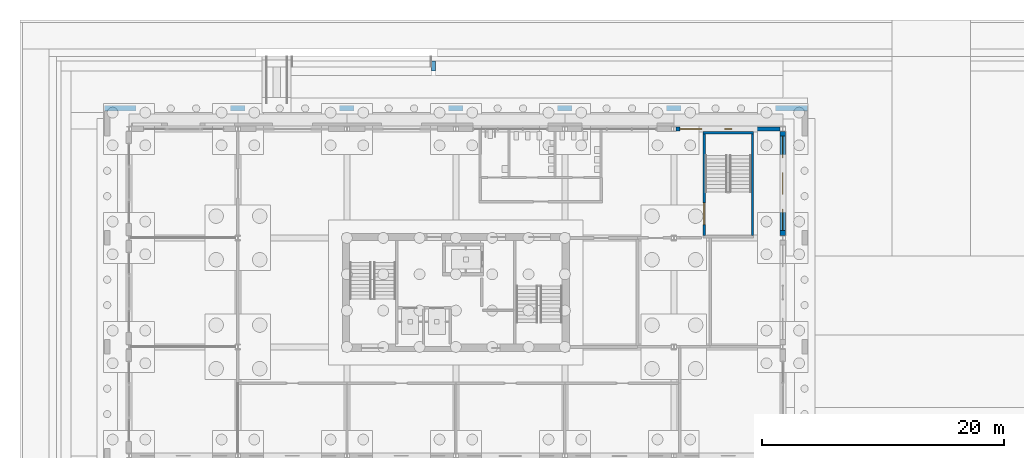
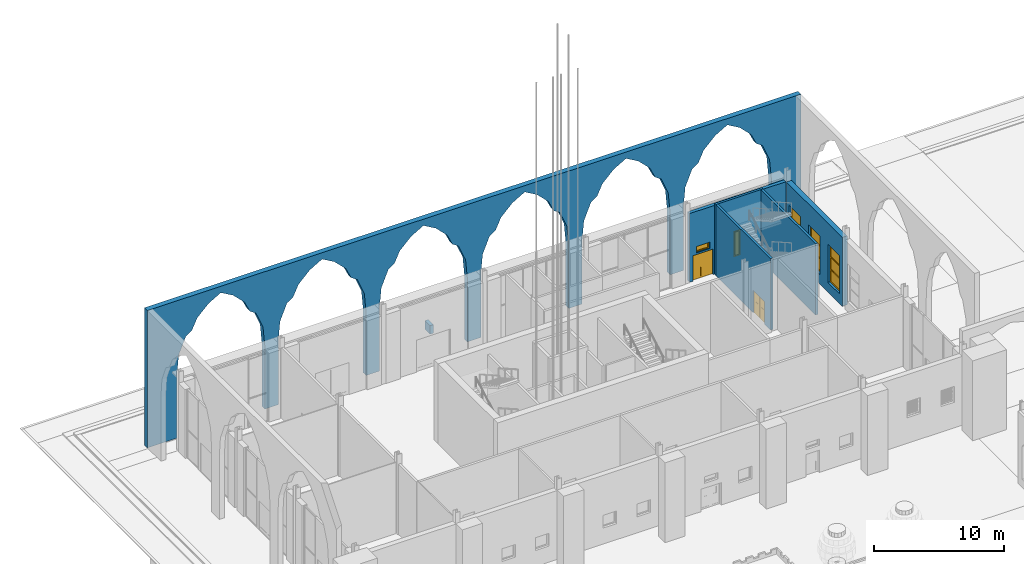
# One storey, part 137 of 250: 7 walls, 5 windows, 2 doors, 7 openings.
"""IFC4 building model written with IfcOpenShell, lengths in metres."""

from ifc_helpers import new_model, si_unit, direction, frame, frame_2d, origin, place, context, subcontext, project, spatial, polyline, rectangle, outline, extrude, material, layer, layer_set, type_object, element, fill, save


model = new_model("IFC4")

# Units and contexts
model_context = context("Model", 3, precision=1e-05, world=origin(), true_north=direction((0.0, 1.0)))
body_context = subcontext(model_context, "Body", "Model", "MODEL_VIEW")
ifc_project = project(units=[si_unit("LENGTHUNIT", "METRE"), si_unit("AREAUNIT", "SQUARE_METRE"), si_unit("VOLUMEUNIT", "CUBIC_METRE"), si_unit("PLANEANGLEUNIT", "RADIAN"), si_unit("MASSUNIT", "GRAM", prefix="KILO")], contexts=[model_context])

# Site, building, storey
site_placement = place(None, origin())
site = spatial("IfcSite", under=ifc_project, at=site_placement, CompositionType="ELEMENT")
building_placement = place(site_placement, origin())
building = spatial("IfcBuilding", under=site, at=building_placement, Name="Baradari Gate Terminus", CompositionType="ELEMENT")
storey_placement = place(building_placement, origin())
storey = spatial("IfcBuildingStorey", under=building, at=storey_placement, Name="L00", CompositionType="ELEMENT", Elevation=0.0)

# Wall, openings, windows
ifc_material_1 = material(Name="Laterite masonry", Category="masonry")
ifc_layer_1 = layer(ifc_material_1, 0.449951171875)
ifc_layer_set_1 = layer_set([ifc_layer_1], Name="Laterite masonry")
wall_type_1 = type_object("IfcWallType", Name="Laterite masonry pier WC-1 450", PredefinedType="SOLIDWALL", material=ifc_layer_set_1)
wall_1_placement = place(storey_placement, frame((63.0, 135.19677734375, 0.0), z_axis=(0.0, 0.0, 1.0), x_axis=(0.0, 1.0, 0.0)))
wall_1 = element("IfcWall", 1, at=wall_1_placement, inside=storey, type_object=wall_type_1, Name="Operations block east wall TE bay 16 L00", PredefinedType="SOLIDWALL", context=body_context, shape_type="SweptSolid", body=[
    extrude(rectangle(XDim=8.6064453125, YDim=0.449951171875, at=frame_2d((4.30322265625, 0.0))), origin(), (0.0, 0.0, 1.0), 6.459716796875),
])
opening_1_placement = place(wall_1_placement, frame((0.4033203125, 0.0, 0.89990234375)))
opening_1 = element("IfcOpeningElement", 2, at=opening_1_placement, cuts=wall_1, Name="Opening W3", PredefinedType="OPENING", context=body_context, shape_type="SweptSolid", body=[
    extrude(rectangle(XDim=1.800048828125, YDim=3.60009765625, at=frame_2d((0.89990234375, 1.800048828125))), frame((0.0, 0.23486328125, 0.0), z_axis=(0.0, -1.0, 0.0), x_axis=(1.0, 0.0, 0.0)), (0.0, 0.0, 1.0), 0.469970703125),
])
opening_2_placement = place(wall_1_placement, frame((3.4033203125, 0.0, 0.89990234375)))
opening_2 = element("IfcOpeningElement", 3, at=opening_2_placement, cuts=wall_1, Name="Opening W3", PredefinedType="OPENING", context=body_context, shape_type="SweptSolid", body=[
    extrude(rectangle(XDim=1.800048828125, YDim=3.60009765625, at=frame_2d((0.89990234375, 1.800048828125))), frame((0.0, 0.23486328125, 0.0), z_axis=(0.0, -1.0, 0.0), x_axis=(1.0, 0.0, 0.0)), (0.0, 0.0, 1.0), 0.469970703125),
])
opening_3_placement = place(wall_1_placement, frame((6.4033203125, 0.0, 0.89990234375)))
opening_3 = element("IfcOpeningElement", 4, at=opening_3_placement, cuts=wall_1, Name="Opening W3", PredefinedType="OPENING", context=body_context, shape_type="SweptSolid", body=[
    extrude(rectangle(XDim=1.800048828125, YDim=3.60009765625, at=frame_2d((0.89990234375, 1.800048828125))), frame((0.0, 0.23486328125, 0.0), z_axis=(0.0, -1.0, 0.0), x_axis=(1.0, 0.0, 0.0)), (0.0, 0.0, 1.0), 0.469970703125),
])
ifc_material_2 = material(Name="Aluminium 6063-T6", Category="aluminium")
window_type_1 = type_object("IfcWindowType", Name="Tall window, 3-light W3 1800x3600", PartitioningType="TRIPLE_PANEL_HORIZONTAL", PredefinedType="WINDOW", material=ifc_material_2)
window_1_placement = place(opening_1_placement, origin())
window_1 = element("IfcWindow", 5, at=window_1_placement, inside=storey, type_object=window_type_1, Name="Window W3 TE/15", OverallHeight=3.6, OverallWidth=1.8, PartitioningType="TRIPLE_PANEL_HORIZONTAL", PredefinedType="WINDOW", context=body_context, shape_type="SweptSolid", body=[
    extrude(outline(polyline([(0.0, 0.0), (1.800048828125, 0.0), (1.800048828125, 3.60009765625), (0.0, 3.60009765625), (0.0, 0.0)]), holes=[polyline([(0.070068359375, 0.070068359375), (1.72998046875, 0.070068359375), (1.72998046875, 3.530029296875), (0.070068359375, 3.530029296875), (0.070068359375, 0.070068359375)])]), frame((0.0, 0.030029296875, 0.0), z_axis=(0.0, -1.0, 0.0), x_axis=(1.0, 0.0, 0.0)), (0.0, 0.0, 1.0), 0.06005859375),
    extrude(rectangle(XDim=1.659912109375, YDim=0.0400390625, at=frame_2d((0.89990234375, 1.216796875))), frame((0.0, 0.021484375, 0.0), z_axis=(0.0, -1.0, 0.0), x_axis=(1.0, 0.0, 0.0)), (0.0, 0.0, 1.0), 0.04296875),
    extrude(rectangle(XDim=1.659912109375, YDim=0.0400390625, at=frame_2d((0.89990234375, 2.38330078125))), frame((0.0, 0.021484375, 0.0), z_axis=(0.0, -1.0, 0.0), x_axis=(1.0, 0.0, 0.0)), (0.0, 0.0, 1.0), 0.04296875),
    extrude(outline(polyline([(0.070068359375, 0.070068359375), (1.72998046875, 0.070068359375), (1.72998046875, 1.19677734375), (0.070068359375, 1.19677734375), (0.070068359375, 0.070068359375)]), holes=[polyline([(0.10009765625, 0.10009765625), (1.699951171875, 0.10009765625), (1.699951171875, 1.166748046875), (0.10009765625, 1.166748046875), (0.10009765625, 0.10009765625)])]), frame((0.0, 0.0224609375, 0.0), z_axis=(0.0, -1.0, 0.0), x_axis=(1.0, 0.0, 0.0)), (0.0, 0.0, 1.0), 0.044921875),
    extrude(rectangle(XDim=1.599853515625, YDim=1.066650390625, at=frame_2d((0.89990234375, 0.63330078125))), frame((0.0, 0.006103515625, 0.0), z_axis=(0.0, -1.0, 0.0), x_axis=(1.0, 0.0, 0.0)), (0.0, 0.0, 1.0), 0.01220703125),
    extrude(outline(polyline([(0.070068359375, 1.23681640625), (1.72998046875, 1.23681640625), (1.72998046875, 2.36328125), (0.070068359375, 2.36328125), (0.070068359375, 1.23681640625)]), holes=[polyline([(0.10009765625, 1.266845703125), (1.699951171875, 1.266845703125), (1.699951171875, 2.333251953125), (0.10009765625, 2.333251953125), (0.10009765625, 1.266845703125)])]), frame((0.0, 0.0224609375, 0.0), z_axis=(0.0, -1.0, 0.0), x_axis=(1.0, 0.0, 0.0)), (0.0, 0.0, 1.0), 0.044921875),
    extrude(rectangle(XDim=1.599853515625, YDim=1.06640625, at=frame_2d((0.89990234375, 1.800048828125))), frame((0.0, 0.006103515625, 0.0), z_axis=(0.0, -1.0, 0.0), x_axis=(1.0, 0.0, 0.0)), (0.0, 0.0, 1.0), 0.01220703125),
    extrude(outline(polyline([(0.070068359375, 2.4033203125), (1.72998046875, 2.4033203125), (1.72998046875, 3.530029296875), (0.070068359375, 3.530029296875), (0.070068359375, 2.4033203125)]), holes=[polyline([(0.10009765625, 2.433349609375), (1.699951171875, 2.433349609375), (1.699951171875, 3.5), (0.10009765625, 3.5), (0.10009765625, 2.433349609375)])]), frame((0.0, 0.0224609375, 0.0), z_axis=(0.0, -1.0, 0.0), x_axis=(1.0, 0.0, 0.0)), (0.0, 0.0, 1.0), 0.044921875),
    extrude(rectangle(XDim=1.599853515625, YDim=1.066650390625, at=frame_2d((0.89990234375, 2.966796875))), frame((0.0, 0.006103515625, 0.0), z_axis=(0.0, -1.0, 0.0), x_axis=(1.0, 0.0, 0.0)), (0.0, 0.0, 1.0), 0.01220703125),
])
fill(opening_1, window_1)
window_2_placement = place(opening_2_placement, origin())
window_2 = element("IfcWindow", 6, at=window_2_placement, inside=storey, type_object=window_type_1, Name="Window W3 TE/15", OverallHeight=3.6, OverallWidth=1.8, PartitioningType="TRIPLE_PANEL_HORIZONTAL", PredefinedType="WINDOW", context=body_context, shape_type="SweptSolid", body=[
    extrude(outline(polyline([(0.0, 0.0), (1.800048828125, 0.0), (1.800048828125, 3.60009765625), (0.0, 3.60009765625), (0.0, 0.0)]), holes=[polyline([(0.070068359375, 0.070068359375), (1.72998046875, 0.070068359375), (1.72998046875, 3.530029296875), (0.070068359375, 3.530029296875), (0.070068359375, 0.070068359375)])]), frame((0.0, 0.030029296875, 0.0), z_axis=(0.0, -1.0, 0.0), x_axis=(1.0, 0.0, 0.0)), (0.0, 0.0, 1.0), 0.06005859375),
    extrude(rectangle(XDim=1.659912109375, YDim=0.0400390625, at=frame_2d((0.89990234375, 1.216796875))), frame((0.0, 0.021484375, 0.0), z_axis=(0.0, -1.0, 0.0), x_axis=(1.0, 0.0, 0.0)), (0.0, 0.0, 1.0), 0.04296875),
    extrude(rectangle(XDim=1.659912109375, YDim=0.0400390625, at=frame_2d((0.89990234375, 2.38330078125))), frame((0.0, 0.021484375, 0.0), z_axis=(0.0, -1.0, 0.0), x_axis=(1.0, 0.0, 0.0)), (0.0, 0.0, 1.0), 0.04296875),
    extrude(outline(polyline([(0.070068359375, 0.070068359375), (1.72998046875, 0.070068359375), (1.72998046875, 1.19677734375), (0.070068359375, 1.19677734375), (0.070068359375, 0.070068359375)]), holes=[polyline([(0.10009765625, 0.10009765625), (1.699951171875, 0.10009765625), (1.699951171875, 1.166748046875), (0.10009765625, 1.166748046875), (0.10009765625, 0.10009765625)])]), frame((0.0, 0.0224609375, 0.0), z_axis=(0.0, -1.0, 0.0), x_axis=(1.0, 0.0, 0.0)), (0.0, 0.0, 1.0), 0.044921875),
    extrude(rectangle(XDim=1.599853515625, YDim=1.066650390625, at=frame_2d((0.89990234375, 0.63330078125))), frame((0.0, 0.006103515625, 0.0), z_axis=(0.0, -1.0, 0.0), x_axis=(1.0, 0.0, 0.0)), (0.0, 0.0, 1.0), 0.01220703125),
    extrude(outline(polyline([(0.070068359375, 1.23681640625), (1.72998046875, 1.23681640625), (1.72998046875, 2.36328125), (0.070068359375, 2.36328125), (0.070068359375, 1.23681640625)]), holes=[polyline([(0.10009765625, 1.266845703125), (1.699951171875, 1.266845703125), (1.699951171875, 2.333251953125), (0.10009765625, 2.333251953125), (0.10009765625, 1.266845703125)])]), frame((0.0, 0.0224609375, 0.0), z_axis=(0.0, -1.0, 0.0), x_axis=(1.0, 0.0, 0.0)), (0.0, 0.0, 1.0), 0.044921875),
    extrude(rectangle(XDim=1.599853515625, YDim=1.06640625, at=frame_2d((0.89990234375, 1.800048828125))), frame((0.0, 0.006103515625, 0.0), z_axis=(0.0, -1.0, 0.0), x_axis=(1.0, 0.0, 0.0)), (0.0, 0.0, 1.0), 0.01220703125),
    extrude(outline(polyline([(0.070068359375, 2.4033203125), (1.72998046875, 2.4033203125), (1.72998046875, 3.530029296875), (0.070068359375, 3.530029296875), (0.070068359375, 2.4033203125)]), holes=[polyline([(0.10009765625, 2.433349609375), (1.699951171875, 2.433349609375), (1.699951171875, 3.5), (0.10009765625, 3.5), (0.10009765625, 2.433349609375)])]), frame((0.0, 0.0224609375, 0.0), z_axis=(0.0, -1.0, 0.0), x_axis=(1.0, 0.0, 0.0)), (0.0, 0.0, 1.0), 0.044921875),
    extrude(rectangle(XDim=1.599853515625, YDim=1.066650390625, at=frame_2d((0.89990234375, 2.966796875))), frame((0.0, 0.006103515625, 0.0), z_axis=(0.0, -1.0, 0.0), x_axis=(1.0, 0.0, 0.0)), (0.0, 0.0, 1.0), 0.01220703125),
])
fill(opening_2, window_2)
window_3_placement = place(opening_3_placement, origin())
window_3 = element("IfcWindow", 7, at=window_3_placement, inside=storey, type_object=window_type_1, Name="Window W3 TE/15", OverallHeight=3.6, OverallWidth=1.8, PartitioningType="TRIPLE_PANEL_HORIZONTAL", PredefinedType="WINDOW", context=body_context, shape_type="SweptSolid", body=[
    extrude(outline(polyline([(0.0, 0.0), (1.800048828125, 0.0), (1.800048828125, 3.60009765625), (0.0, 3.60009765625), (0.0, 0.0)]), holes=[polyline([(0.070068359375, 0.070068359375), (1.72998046875, 0.070068359375), (1.72998046875, 3.530029296875), (0.070068359375, 3.530029296875), (0.070068359375, 0.070068359375)])]), frame((0.0, 0.030029296875, 0.0), z_axis=(0.0, -1.0, 0.0), x_axis=(1.0, 0.0, 0.0)), (0.0, 0.0, 1.0), 0.06005859375),
    extrude(rectangle(XDim=1.659912109375, YDim=0.0400390625, at=frame_2d((0.89990234375, 1.216796875))), frame((0.0, 0.021484375, 0.0), z_axis=(0.0, -1.0, 0.0), x_axis=(1.0, 0.0, 0.0)), (0.0, 0.0, 1.0), 0.04296875),
    extrude(rectangle(XDim=1.659912109375, YDim=0.0400390625, at=frame_2d((0.89990234375, 2.38330078125))), frame((0.0, 0.021484375, 0.0), z_axis=(0.0, -1.0, 0.0), x_axis=(1.0, 0.0, 0.0)), (0.0, 0.0, 1.0), 0.04296875),
    extrude(outline(polyline([(0.070068359375, 0.070068359375), (1.72998046875, 0.070068359375), (1.72998046875, 1.19677734375), (0.070068359375, 1.19677734375), (0.070068359375, 0.070068359375)]), holes=[polyline([(0.10009765625, 0.10009765625), (1.699951171875, 0.10009765625), (1.699951171875, 1.166748046875), (0.10009765625, 1.166748046875), (0.10009765625, 0.10009765625)])]), frame((0.0, 0.0224609375, 0.0), z_axis=(0.0, -1.0, 0.0), x_axis=(1.0, 0.0, 0.0)), (0.0, 0.0, 1.0), 0.044921875),
    extrude(rectangle(XDim=1.599853515625, YDim=1.066650390625, at=frame_2d((0.89990234375, 0.63330078125))), frame((0.0, 0.006103515625, 0.0), z_axis=(0.0, -1.0, 0.0), x_axis=(1.0, 0.0, 0.0)), (0.0, 0.0, 1.0), 0.01220703125),
    extrude(outline(polyline([(0.070068359375, 1.23681640625), (1.72998046875, 1.23681640625), (1.72998046875, 2.36328125), (0.070068359375, 2.36328125), (0.070068359375, 1.23681640625)]), holes=[polyline([(0.10009765625, 1.266845703125), (1.699951171875, 1.266845703125), (1.699951171875, 2.333251953125), (0.10009765625, 2.333251953125), (0.10009765625, 1.266845703125)])]), frame((0.0, 0.0224609375, 0.0), z_axis=(0.0, -1.0, 0.0), x_axis=(1.0, 0.0, 0.0)), (0.0, 0.0, 1.0), 0.044921875),
    extrude(rectangle(XDim=1.599853515625, YDim=1.06640625, at=frame_2d((0.89990234375, 1.800048828125))), frame((0.0, 0.006103515625, 0.0), z_axis=(0.0, -1.0, 0.0), x_axis=(1.0, 0.0, 0.0)), (0.0, 0.0, 1.0), 0.01220703125),
    extrude(outline(polyline([(0.070068359375, 2.4033203125), (1.72998046875, 2.4033203125), (1.72998046875, 3.530029296875), (0.070068359375, 3.530029296875), (0.070068359375, 2.4033203125)]), holes=[polyline([(0.10009765625, 2.433349609375), (1.699951171875, 2.433349609375), (1.699951171875, 3.5), (0.10009765625, 3.5), (0.10009765625, 2.433349609375)])]), frame((0.0, 0.0224609375, 0.0), z_axis=(0.0, -1.0, 0.0), x_axis=(1.0, 0.0, 0.0)), (0.0, 0.0, 1.0), 0.044921875),
    extrude(rectangle(XDim=1.599853515625, YDim=1.066650390625, at=frame_2d((0.89990234375, 2.966796875))), frame((0.0, 0.006103515625, 0.0), z_axis=(0.0, -1.0, 0.0), x_axis=(1.0, 0.0, 0.0)), (0.0, 0.0, 1.0), 0.01220703125),
])
fill(opening_3, window_3)

# Walls
wall_2_placement = place(storey_placement, frame((6.97509765625, 145.699951171875, 0.0), z_axis=(0.0, 0.0, 1.0), x_axis=(1.0, 0.0, 0.0)))
element("IfcWall", 8, at=wall_2_placement, inside=storey, type_object=wall_type_1, Name="Operations block arcade north screen 1", PredefinedType="SOLIDWALL", context=body_context, shape_type="SweptSolid", body=[
    extrude(outline(polyline([(2.625, 0.0), (2.625, 6.0), (2.781005859375, 7.763916015625), (3.405029296875, 9.27587890625), (3.950927734375, 9.654052734375), (4.4189453125, 10.662109375), (5.43310546875, 11.669921875), (6.52490234375, 12.300048828125), (7.616943359375, 11.669921875), (8.631103515625, 10.662109375), (9.09912109375, 9.654052734375), (9.64501953125, 9.27587890625), (10.26904296875, 7.763916015625), (10.425048828125, 6.0), (10.425048828125, 0.0), (11.625, 0.0), (11.625, 6.0), (11.781005859375, 7.763916015625), (12.405029296875, 9.27587890625), (12.950927734375, 9.654052734375), (13.4189453125, 10.662109375), (14.43310546875, 11.669921875), (15.52490234375, 12.300048828125), (16.616943359375, 11.669921875), (17.631103515625, 10.662109375), (18.09912109375, 9.654052734375), (18.64501953125, 9.27587890625), (19.26904296875, 7.763916015625), (19.425048828125, 6.0), (19.425048828125, 0.0), (20.625, 0.0), (20.625, 6.0), (20.781005859375, 7.763916015625), (21.405029296875, 9.27587890625), (21.950927734375, 9.654052734375), (22.4189453125, 10.662109375), (23.43310546875, 11.669921875), (24.52490234375, 12.300048828125), (25.616943359375, 11.669921875), (26.631103515625, 10.662109375), (27.09912109375, 9.654052734375), (27.64501953125, 9.27587890625), (28.26904296875, 7.763916015625), (28.425048828125, 6.0), (28.425048828125, 0.0), (29.625, 0.0), (29.625, 6.0), (29.781005859375, 7.763916015625), (30.405029296875, 9.27587890625), (30.950927734375, 9.654052734375), (31.4189453125, 10.662109375), (32.43310546875, 11.669921875), (33.52490234375, 12.300048828125), (34.616943359375, 11.669921875), (35.631103515625, 10.662109375), (36.09912109375, 9.654052734375), (36.64501953125, 9.27587890625), (37.26904296875, 7.763916015625), (37.425048828125, 6.0), (37.425048828125, 0.0), (38.625, 0.0), (38.625, 6.0), (38.781005859375, 7.763916015625), (39.405029296875, 9.27587890625), (39.950927734375, 9.654052734375), (40.4189453125, 10.662109375), (41.43310546875, 11.669921875), (42.52490234375, 12.300048828125), (43.616943359375, 11.669921875), (44.631103515625, 10.662109375), (45.09912109375, 9.654052734375), (45.64501953125, 9.27587890625), (46.26904296875, 7.763916015625), (46.425048828125, 6.0), (46.425048828125, 0.0), (47.625, 0.0), (47.625, 6.0), (47.781005859375, 7.763916015625), (48.405029296875, 9.27587890625), (48.950927734375, 9.654052734375), (49.4189453125, 10.662109375), (50.43310546875, 11.669921875), (51.52490234375, 12.300048828125), (52.616943359375, 11.669921875), (53.631103515625, 10.662109375), (54.09912109375, 9.654052734375), (54.64501953125, 9.27587890625), (55.26904296875, 7.763916015625), (55.425048828125, 6.0), (55.425048828125, 0.0), (58.050048828125, 0.0), (58.050048828125, 12.89990234375), (0.0, 12.89990234375), (0.0, 0.0), (2.625, 0.0)])), frame((0.0, 0.22509765625, 0.0), z_axis=(0.0, -1.0, 0.0), x_axis=(1.0, 0.0, 0.0)), (0.0, 0.0, 1.0), 0.449951171875),
])
ifc_material_3 = material(Name="Sandstone masonry", Category="masonry")
ifc_layer_2 = layer(ifc_material_3, 0.300048828125)
ifc_layer_set_2 = layer_set([ifc_layer_2], Name="Sandstone masonry")
wall_type_2 = type_object("IfcWallType", Name="Retaining cheek wall KW-2 300", PredefinedType="SOLIDWALL", material=ifc_layer_set_2)
wall_3_placement = place(storey_placement, frame((34.14990234375, 148.800048828125, -0.800048828125), z_axis=(0.0, 0.0, 1.0), x_axis=(0.0, 1.0, 0.0)))
element("IfcWall", 9, at=wall_3_placement, inside=storey, type_object=wall_type_2, Name="Return wall North-west gate b", PredefinedType="SOLIDWALL", context=body_context, shape_type="SweptSolid", body=[
    extrude(rectangle(XDim=0.800048828125, YDim=0.300048828125, at=frame_2d((0.39990234375, 0.0))), origin(), (0.0, 0.0, 1.0), 0.800048828125),
])

# Wall, openings, windows, door
ifc_material_4 = material(Name="Concrete C32/40", Category="concrete")
ifc_layer_3 = layer(ifc_material_4, 0.2)
ifc_material_5 = material(Name="Sandstone cladding", Category="masonry")
ifc_layer_4 = layer(ifc_material_5, 0.1)
ifc_layer_set_3 = layer_set([ifc_layer_3, ifc_layer_4], Name="Concrete C32/40")
wall_type_3 = type_object("IfcWallType", Name="Stair enclosure cladding wall WS-2 300", PredefinedType="SOLIDWALL", material=ifc_layer_set_3)
wall_4_placement = place(storey_placement, frame((54.199462890625, 144.0, 0.0), z_axis=(0.0, 0.0, 1.0), x_axis=(1.0, 0.0, 0.0)))
wall_4 = element("IfcWall", 10, at=wall_4_placement, inside=storey, type_object=wall_type_3, Name="Operations block north TN bay 7 L00", PredefinedType="SOLIDWALL", context=body_context, shape_type="SweptSolid", body=[
    extrude(rectangle(XDim=8.575439453125, YDim=0.300048828125, at=frame_2d((4.28759765625, 0.0))), origin(), (0.0, 0.0, 1.0), 6.459716796875),
])
opening_4_placement = place(wall_4_placement, frame((0.300537109375, 0.0, 0.0)))
opening_4 = element("IfcOpeningElement", 11, at=opening_4_placement, cuts=wall_4, Name="Opening D00-004", PredefinedType="OPENING", context=body_context, shape_type="SweptSolid", body=[
    extrude(rectangle(XDim=1.800048828125, YDim=2.39990234375, at=frame_2d((0.89990234375, 1.199951171875))), frame((0.0, 0.159912109375, 0.0), z_axis=(0.0, -1.0, 0.0), x_axis=(1.0, 0.0, 0.0)), (0.0, 0.0, 1.0), 0.320068359375),
])
opening_5_placement = place(wall_4_placement, frame((0.6005859375, 0.0, 2.550048828125)))
opening_5 = element("IfcOpeningElement", 12, at=opening_5_placement, cuts=wall_4, Name="Opening W10", PredefinedType="OPENING", context=body_context, shape_type="SweptSolid", body=[
    extrude(rectangle(XDim=1.199951171875, YDim=0.60009765625, at=frame_2d((0.60009765625, 0.300048828125))), frame((0.0, 0.159912109375, 0.0), z_axis=(0.0, -1.0, 0.0), x_axis=(1.0, 0.0, 0.0)), (0.0, 0.0, 1.0), 0.320068359375),
])
opening_6_placement = place(wall_4_placement, frame((4.00048828125, 0.0, 0.89990234375)))
opening_6 = element("IfcOpeningElement", 13, at=opening_6_placement, cuts=wall_4, Name="Opening W9", PredefinedType="OPENING", context=body_context, shape_type="SweptSolid", body=[
    extrude(rectangle(XDim=0.60009765625, YDim=2.39990234375, at=frame_2d((0.300048828125, 1.199951171875))), frame((0.0, 0.159912109375, 0.0), z_axis=(0.0, -1.0, 0.0), x_axis=(1.0, 0.0, 0.0)), (0.0, 0.0, 1.0), 0.320068359375),
])
ifc_material_6 = material(Name="Aluminium 6063-T6", Category="aluminium")
window_type_2 = type_object("IfcWindowType", Name="Door fanlight W10 1200x600", PartitioningType="SINGLE_PANEL", PredefinedType="WINDOW", material=ifc_material_6)
window_4_placement = place(opening_5_placement, origin())
window_4 = element("IfcWindow", 14, at=window_4_placement, inside=storey, type_object=window_type_2, Name="Fanlight over Corridor (Stair Passage)", OverallHeight=0.6, OverallWidth=1.2, PartitioningType="SINGLE_PANEL", PredefinedType="WINDOW", context=body_context, shape_type="SweptSolid", body=[
    extrude(outline(polyline([(0.0, 0.0), (1.199951171875, 0.0), (1.199951171875, 0.60009765625), (0.0, 0.60009765625), (0.0, 0.0)]), holes=[polyline([(0.070068359375, 0.070068359375), (1.1298828125, 0.070068359375), (1.1298828125, 0.530029296875), (0.070068359375, 0.530029296875), (0.070068359375, 0.070068359375)])]), frame((0.0, 0.030029296875, 0.0), z_axis=(0.0, -1.0, 0.0), x_axis=(1.0, 0.0, 0.0)), (0.0, 0.0, 1.0), 0.06005859375),
    extrude(outline(polyline([(0.070068359375, 0.070068359375), (1.1298828125, 0.070068359375), (1.1298828125, 0.530029296875), (0.070068359375, 0.530029296875), (0.070068359375, 0.070068359375)]), holes=[polyline([(0.10009765625, 0.10009765625), (1.099853515625, 0.10009765625), (1.099853515625, 0.5), (0.10009765625, 0.5), (0.10009765625, 0.10009765625)])]), frame((0.0, 0.0224609375, 0.0), z_axis=(0.0, -1.0, 0.0), x_axis=(1.0, 0.0, 0.0)), (0.0, 0.0, 1.0), 0.044921875),
    extrude(rectangle(XDim=0.999755859375, YDim=0.39990234375, at=frame_2d((0.60009765625, 0.300048828125))), frame((0.0, 0.006103515625, 0.0), z_axis=(0.0, -1.0, 0.0), x_axis=(1.0, 0.0, 0.0)), (0.0, 0.0, 1.0), 0.01220703125),
])
fill(opening_5, window_4)
ifc_material_7 = material(Name="Steel S235", Category="steel")
door_type_1 = type_object("IfcDoorType", Name="Stair exit door pair, steel DT-4 1800x2400", OperationType="DOUBLE_DOOR_SINGLE_SWING", PredefinedType="DOOR", material=ifc_material_7)
door_1_placement = place(opening_4_placement, origin())
door_1 = element("IfcDoor", 15, at=door_1_placement, inside=storey, type_object=door_type_1, Name="Exit door Corridor (Stair Passage)", OperationType="DOUBLE_DOOR_SINGLE_SWING", OverallHeight=2.4, OverallWidth=1.8, PredefinedType="DOOR", context=body_context, shape_type="SweptSolid", body=[
    extrude(outline(polyline([(0.0, 0.0), (0.070068359375, 0.0), (0.070068359375, 2.329833984375), (1.72998046875, 2.329833984375), (1.72998046875, 0.0), (1.800048828125, 0.0), (1.800048828125, 2.39990234375), (0.0, 2.39990234375), (0.0, 0.0)])), frame((0.0, 0.02490234375, 0.0), z_axis=(0.0, -1.0, 0.0), x_axis=(1.0, 0.0, 0.0)), (0.0, 0.0, 1.0), 0.050048828125),
    extrude(outline(polyline([(0.073974609375, 0.010009765625), (0.89697265625, 0.010009765625), (0.89697265625, 2.325927734375), (0.073974609375, 2.325927734375), (0.073974609375, 0.010009765625)]), holes=[polyline([(0.194091796875, 0.159912109375), (0.77685546875, 0.159912109375), (0.77685546875, 1.010009765625), (0.194091796875, 1.010009765625), (0.194091796875, 0.159912109375)]), polyline([(0.33544921875, 1.159912109375), (0.635498046875, 1.159912109375), (0.635498046875, 1.760009765625), (0.33544921875, 1.760009765625), (0.33544921875, 1.159912109375)])]), frame((0.0, 0.017333984375, 0.0), z_axis=(0.0, -1.0, 0.0), x_axis=(1.0, 0.0, 0.0)), (0.0, 0.0, 1.0), 0.034912109375),
    extrude(rectangle(XDim=0.582763671875, YDim=0.85009765625, at=frame_2d((0.4853515625, 0.5849609375))), frame((0.0, 0.008544921875, 0.0), z_axis=(0.0, -1.0, 0.0), x_axis=(1.0, 0.0, 0.0)), (0.0, 0.0, 1.0), 0.017333984375),
    extrude(rectangle(XDim=0.300048828125, YDim=0.60009765625, at=frame_2d((0.4853515625, 1.4599609375))), frame((0.0, 0.005859375, 0.0), z_axis=(0.0, -1.0, 0.0), x_axis=(1.0, 0.0, 0.0)), (0.0, 0.0, 1.0), 0.011962890625),
    extrude(outline(polyline([(0.903076171875, 0.010009765625), (1.72607421875, 0.010009765625), (1.72607421875, 2.325927734375), (0.903076171875, 2.325927734375), (0.903076171875, 0.010009765625)]), holes=[polyline([(1.023193359375, 0.159912109375), (1.60595703125, 0.159912109375), (1.60595703125, 1.010009765625), (1.023193359375, 1.010009765625), (1.023193359375, 0.159912109375)]), polyline([(1.16455078125, 1.159912109375), (1.464599609375, 1.159912109375), (1.464599609375, 1.760009765625), (1.16455078125, 1.760009765625), (1.16455078125, 1.159912109375)])]), frame((0.0, 0.017333984375, 0.0), z_axis=(0.0, -1.0, 0.0), x_axis=(1.0, 0.0, 0.0)), (0.0, 0.0, 1.0), 0.034912109375),
    extrude(rectangle(XDim=0.582763671875, YDim=0.85009765625, at=frame_2d((1.314453125, 0.5849609375))), frame((0.0, 0.008544921875, 0.0), z_axis=(0.0, -1.0, 0.0), x_axis=(1.0, 0.0, 0.0)), (0.0, 0.0, 1.0), 0.017333984375),
    extrude(rectangle(XDim=0.300048828125, YDim=0.60009765625, at=frame_2d((1.314453125, 1.4599609375))), frame((0.0, 0.005859375, 0.0), z_axis=(0.0, -1.0, 0.0), x_axis=(1.0, 0.0, 0.0)), (0.0, 0.0, 1.0), 0.011962890625),
])
fill(opening_4, door_1)
ifc_material_8 = material(Name="Aluminium 6063-T6", Category="aluminium")
window_type_3 = type_object("IfcWindowType", Name="Stair slit window W9 600x2400", PartitioningType="SINGLE_PANEL", PredefinedType="WINDOW", material=ifc_material_8)
window_5_placement = place(opening_6_placement, origin())
window_5 = element("IfcWindow", 16, at=window_5_placement, inside=storey, type_object=window_type_3, Name="Window W9 TN/06", OverallHeight=2.4, OverallWidth=0.6, PartitioningType="SINGLE_PANEL", PredefinedType="WINDOW", context=body_context, shape_type="SweptSolid", body=[
    extrude(outline(polyline([(0.0, 0.0), (0.60009765625, 0.0), (0.60009765625, 2.39990234375), (0.0, 2.39990234375), (0.0, 0.0)]), holes=[polyline([(0.070068359375, 0.070068359375), (0.530029296875, 0.070068359375), (0.530029296875, 2.329833984375), (0.070068359375, 2.329833984375), (0.070068359375, 0.070068359375)])]), frame((0.0, 0.030029296875, 0.0), z_axis=(0.0, -1.0, 0.0), x_axis=(1.0, 0.0, 0.0)), (0.0, 0.0, 1.0), 0.06005859375),
    extrude(outline(polyline([(0.070068359375, 0.070068359375), (0.530029296875, 0.070068359375), (0.530029296875, 2.329833984375), (0.070068359375, 2.329833984375), (0.070068359375, 0.070068359375)]), holes=[polyline([(0.10009765625, 0.10009765625), (0.5, 0.10009765625), (0.5, 2.2998046875), (0.10009765625, 2.2998046875), (0.10009765625, 0.10009765625)])]), frame((0.0, 0.0224609375, 0.0), z_axis=(0.0, -1.0, 0.0), x_axis=(1.0, 0.0, 0.0)), (0.0, 0.0, 1.0), 0.044921875),
    extrude(rectangle(XDim=0.39990234375, YDim=2.19970703125, at=frame_2d((0.300048828125, 1.199951171875))), frame((0.0, 0.006103515625, 0.0), z_axis=(0.0, -1.0, 0.0), x_axis=(1.0, 0.0, 0.0)), (0.0, 0.0, 1.0), 0.01220703125),
])
fill(opening_6, window_5)

# Wall
ifc_material_9 = material(Name="Concrete C40/50", Category="concrete")
ifc_layer_5 = layer(ifc_material_9, 0.199951171875)
ifc_layer_set_4 = layer_set([ifc_layer_5], Name="Concrete C40/50")
wall_type_4 = type_object("IfcWallType", Name="Stair enclosure wall SE-2 200 EI 120", PredefinedType="SOLIDWALL", material=ifc_layer_set_4)
wall_5_placement = place(storey_placement, frame((56.39990234375, 143.699951171875, 0.0), z_axis=(0.0, 0.0, 1.0), x_axis=(1.0, 0.0, 0.0)))
element("IfcWall", 17, at=wall_5_placement, inside=storey, type_object=wall_type_4, Name="Stair enclosure wall SE-2 ST-T3 L00 N", PredefinedType="SOLIDWALL", context=body_context, shape_type="SweptSolid", body=[
    extrude(rectangle(XDim=4.2001953125, YDim=0.199951171875, at=frame_2d((2.10009765625, 0.0))), origin(), (0.0, 0.0, 1.0), 6.69189453125),
])

# Wall, opening, door
wall_6_placement = place(storey_placement, frame((56.5, 135.199951171875, 0.0), z_axis=(0.0, 0.0, 1.0), x_axis=(0.0, 1.0, 0.0)))
wall_6 = element("IfcWall", 18, at=wall_6_placement, inside=storey, type_object=wall_type_4, Name="Stair enclosure wall SE-2 ST-T3 L00 W", PredefinedType="SOLIDWALL", context=body_context, shape_type="SweptSolid", body=[
    extrude(rectangle(XDim=8.400146484375, YDim=0.199951171875, at=frame_2d((4.2001953125, 0.0))), origin(), (0.0, 0.0, 1.0), 6.69189453125),
])
opening_7_placement = place(wall_6_placement, frame((0.89990234375, 0.0, 0.0)))
opening_7 = element("IfcOpeningElement", 19, at=opening_7_placement, cuts=wall_6, Name="Opening D00-089", PredefinedType="OPENING", context=body_context, shape_type="SweptSolid", body=[
    extrude(rectangle(XDim=1.800048828125, YDim=2.10009765625, at=frame_2d((0.89990234375, 1.050048828125))), frame((0.0, 0.10986328125, 0.0), z_axis=(0.0, -1.0, 0.0), x_axis=(1.0, 0.0, 0.0)), (0.0, 0.0, 1.0), 0.219970703125),
])
ifc_material_10 = material(Name="Steel S275", Category="steel")
door_type_2 = type_object("IfcDoorType", Name="Fire door FI-1800-FD90S 1800x2100 FD90S", OperationType="DOUBLE_DOOR_SINGLE_SWING", PredefinedType="DOOR", material=ifc_material_10)
door_2_placement = place(opening_7_placement, frame((1.800048828125, 0.0, 0.0), z_axis=(0.0, 0.0, 1.0), x_axis=(-1.0, 0.0, 0.0)))
door_2 = element("IfcDoor", 20, at=door_2_placement, inside=storey, type_object=door_type_2, Name="Door Stair (East Core)", OperationType="DOUBLE_DOOR_SINGLE_SWING", OverallHeight=2.1, OverallWidth=1.8, PredefinedType="DOOR", context=body_context, shape_type="SweptSolid", body=[
    extrude(outline(polyline([(0.0, 0.0), (0.070068359375, 0.0), (0.070068359375, 2.030029296875), (1.72998046875, 2.030029296875), (1.72998046875, 0.0), (1.800048828125, 0.0), (1.800048828125, 2.10009765625), (0.0, 2.10009765625), (0.0, 0.0)])), frame((0.0, 0.02490234375, 0.0), z_axis=(0.0, -1.0, 0.0), x_axis=(1.0, 0.0, 0.0)), (0.0, 0.0, 1.0), 0.050048828125),
    extrude(outline(polyline([(0.073974609375, 0.010009765625), (0.89697265625, 0.010009765625), (0.89697265625, 2.026123046875), (0.073974609375, 2.026123046875), (0.073974609375, 0.010009765625)]), holes=[polyline([(0.194091796875, 0.159912109375), (0.77685546875, 0.159912109375), (0.77685546875, 1.010009765625), (0.194091796875, 1.010009765625), (0.194091796875, 0.159912109375)]), polyline([(0.33544921875, 1.159912109375), (0.635498046875, 1.159912109375), (0.635498046875, 1.760009765625), (0.33544921875, 1.760009765625), (0.33544921875, 1.159912109375)])]), frame((0.0, 0.017333984375, 0.0), z_axis=(0.0, -1.0, 0.0), x_axis=(1.0, 0.0, 0.0)), (0.0, 0.0, 1.0), 0.034912109375),
    extrude(rectangle(XDim=0.582763671875, YDim=0.85009765625, at=frame_2d((0.4853515625, 0.5849609375))), frame((0.0, 0.008544921875, 0.0), z_axis=(0.0, -1.0, 0.0), x_axis=(1.0, 0.0, 0.0)), (0.0, 0.0, 1.0), 0.017333984375),
    extrude(rectangle(XDim=0.300048828125, YDim=0.60009765625, at=frame_2d((0.4853515625, 1.4599609375))), frame((0.0, 0.005859375, 0.0), z_axis=(0.0, -1.0, 0.0), x_axis=(1.0, 0.0, 0.0)), (0.0, 0.0, 1.0), 0.011962890625),
    extrude(outline(polyline([(0.903076171875, 0.010009765625), (1.72607421875, 0.010009765625), (1.72607421875, 2.026123046875), (0.903076171875, 2.026123046875), (0.903076171875, 0.010009765625)]), holes=[polyline([(1.023193359375, 0.159912109375), (1.60595703125, 0.159912109375), (1.60595703125, 1.010009765625), (1.023193359375, 1.010009765625), (1.023193359375, 0.159912109375)]), polyline([(1.16455078125, 1.159912109375), (1.464599609375, 1.159912109375), (1.464599609375, 1.760009765625), (1.16455078125, 1.760009765625), (1.16455078125, 1.159912109375)])]), frame((0.0, 0.017333984375, 0.0), z_axis=(0.0, -1.0, 0.0), x_axis=(1.0, 0.0, 0.0)), (0.0, 0.0, 1.0), 0.034912109375),
    extrude(rectangle(XDim=0.582763671875, YDim=0.85009765625, at=frame_2d((1.314453125, 0.5849609375))), frame((0.0, 0.008544921875, 0.0), z_axis=(0.0, -1.0, 0.0), x_axis=(1.0, 0.0, 0.0)), (0.0, 0.0, 1.0), 0.017333984375),
    extrude(rectangle(XDim=0.300048828125, YDim=0.60009765625, at=frame_2d((1.314453125, 1.4599609375))), frame((0.0, 0.005859375, 0.0), z_axis=(0.0, -1.0, 0.0), x_axis=(1.0, 0.0, 0.0)), (0.0, 0.0, 1.0), 0.011962890625),
])
fill(opening_7, door_2)

# Wall
wall_7_placement = place(storey_placement, frame((60.5, 135.199951171875, 0.0), z_axis=(0.0, 0.0, 1.0), x_axis=(0.0, 1.0, 0.0)))
element("IfcWall", 21, at=wall_7_placement, inside=storey, type_object=wall_type_4, Name="Stair enclosure wall SE-2 ST-T3 L00 E", PredefinedType="SOLIDWALL", context=body_context, shape_type="SweptSolid", body=[
    extrude(rectangle(XDim=8.400146484375, YDim=0.199951171875, at=frame_2d((4.2001953125, 0.0))), origin(), (0.0, 0.0, 1.0), 6.69189453125),
])

save(model, "model.ifc")
